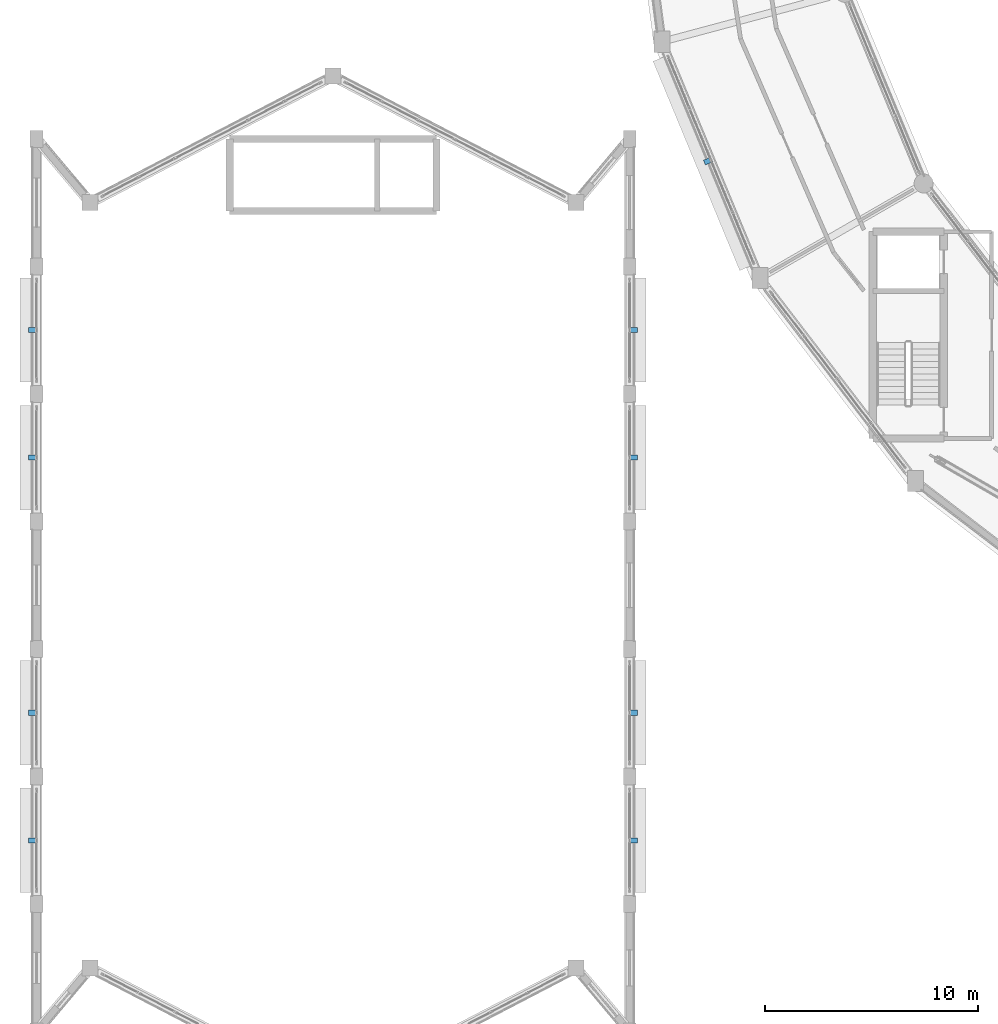
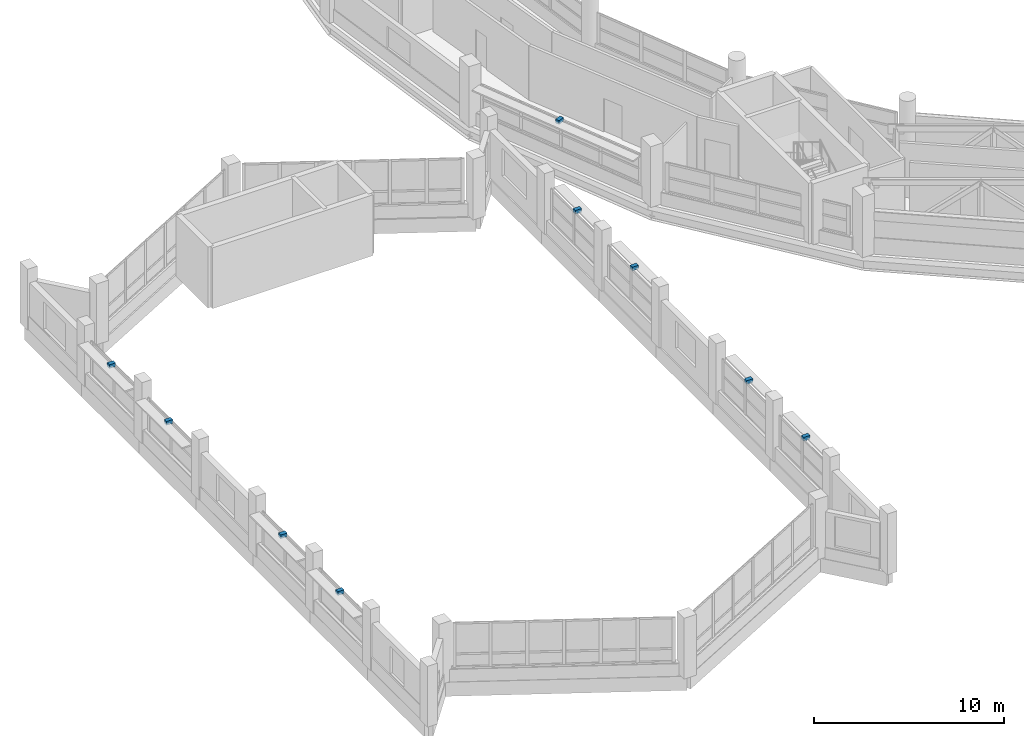
# One storey, part 109 of 121: 9 discrete accessories.
"""IFC4 building model written with IfcOpenShell, lengths in metres."""

import ifcopenshell
import ifcopenshell.guid

model = None  # the IFC model being written
_history = None  # IfcOwnerHistory: only IFC2X3 demands one
_inside = {}  # id of a spatial element -> (the spatial element, [elements in it])
_under = {}  # id of a project, library or spatial element -> (it, [spatial elements below it])
_declared = {}  # id of a project -> (the project, [libraries it declares])
_typed = {}  # id of a type object -> (the type object, [elements of that type])
_made_of = {}  # id of a material, layer set ... -> (it, [elements and type objects made of it])


def new_model(schema):
    """Start an empty IFC model of exactly this schema.

    Asked for "IFC4X3", IfcOpenShell would pick the latest addendum, in which some entities
    have other attributes; the version numbers below select the first issue.
    IFC2X3 requires an IfcOwnerHistory on every rooted entity: one is made here for all.
    """
    global model, _history
    if schema == "IFC4X3":
        model = ifcopenshell.file(schema_version=(4, 3, 0, 0))
    else:
        model = ifcopenshell.file(schema=schema)
    _inside.clear()
    _under.clear()
    _declared.clear()
    _typed.clear()
    _made_of.clear()
    _history = None
    if model.schema == "IFC2X3":
        org = make("IfcOrganization", Name="unknown")
        user = make(
            "IfcPersonAndOrganization",
            ThePerson=make("IfcPerson", FamilyName="unknown"),
            TheOrganization=org,
        )
        app = make(
            "IfcApplication",
            ApplicationDeveloper=org,
            Version="unknown",
            ApplicationFullName="unknown",
            ApplicationIdentifier="unknown",
        )
        _history = make(
            "IfcOwnerHistory",
            OwningUser=user,
            OwningApplication=app,
            ChangeAction="ADDED",
            CreationDate=0,
        )
    return model


def make(cls, **values):
    """One entity of the class cls with the attributes given. An attribute that is None is left unset."""
    return model.create_entity(
        cls, **{name: value for name, value in values.items() if value is not None}
    )


def rooted(cls, **values):
    """An entity with a GlobalId (a new one), such as an element, a storey or a relation."""
    return make(cls, GlobalId=ifcopenshell.guid.new(), OwnerHistory=_history, **values)


def si_unit(unit_type, name, prefix=None):
    """IfcSIUnit, for example si_unit("LENGTHUNIT", "METRE", prefix="MILLI")."""
    return make("IfcSIUnit", UnitType=unit_type, Prefix=prefix, Name=name)


def assignment(units):
    """IfcUnitAssignment: the units of a project."""
    return None if units is None else make("IfcUnitAssignment", Units=units)


def point(xyz):
    """IfcCartesianPoint."""
    return None if xyz is None else make("IfcCartesianPoint", Coordinates=xyz)


def direction(xyz):
    """IfcDirection."""
    return None if xyz is None else make("IfcDirection", DirectionRatios=xyz)


def frame(location, z_axis=None, x_axis=None):
    """IfcAxis2Placement3D, a coordinate frame: its origin and axes. An axis left out is left unset."""
    return make(
        "IfcAxis2Placement3D",
        Location=point(location),
        Axis=direction(z_axis),
        RefDirection=direction(x_axis),
    )


def frame_2d(location, x_axis=None):
    """IfcAxis2Placement2D, a coordinate frame in the plane: its origin and x axis."""
    return make(
        "IfcAxis2Placement2D", Location=point(location), RefDirection=direction(x_axis)
    )


def origin():
    """The frame at (0, 0, 0) with its axes left unset."""
    return frame((0.0, 0.0, 0.0))


def origin_2d():
    """The frame at (0, 0) in the plane with its x axis left unset."""
    return frame_2d((0.0, 0.0))


def place(relative_to, where):
    """IfcLocalPlacement: puts the frame where relative to a parent placement (None: the world)."""
    return make(
        "IfcLocalPlacement", PlacementRelTo=relative_to, RelativePlacement=where
    )


def context(
    kind, dimensions, precision=None, world=None, true_north=None, identifier=None
):
    """IfcGeometricRepresentationContext, for example the 3D "Model" context."""
    return make(
        "IfcGeometricRepresentationContext",
        ContextIdentifier=identifier,
        ContextType=kind,
        CoordinateSpaceDimension=dimensions,
        Precision=precision,
        WorldCoordinateSystem=world,
        TrueNorth=true_north,
    )


def subcontext(parent, identifier, kind, view, scale=None):
    """IfcGeometricRepresentationSubContext, for example "Body" below "Model"."""
    return make(
        "IfcGeometricRepresentationSubContext",
        ContextIdentifier=identifier,
        ContextType=kind,
        ParentContext=parent,
        TargetScale=scale,
        TargetView=view,
    )


def project(units=None, contexts=None):
    """IfcProject with its units and contexts."""
    return rooted(
        "IfcProject",
        Name="project",
        RepresentationContexts=contexts,
        UnitsInContext=assignment(units),
    )


def spatial(cls, under=None, at=None, **own):
    """A site, building, storey or space (cls), placed at a placement, below another one or the project."""
    s = rooted(cls, ObjectPlacement=at, **own)
    if under is not None:
        _under.setdefault(under.id(), (under, []))[1].append(s)
    return s


def profile(cls, at=None, kind="AREA", **sizes):
    """A parametric profile (cls). Its sizes go by their IFC names, for example OverallWidth=200.0."""
    return make(cls, ProfileType=kind, Position=at, **sizes)


def rectangle(**sizes):
    """IfcRectangleProfileDef."""
    return profile("IfcRectangleProfileDef", **sizes)


def extrude(swept, where, along, depth):
    """IfcExtrudedAreaSolid: the profile swept, set in the frame where, extruded along a direction by depth."""
    return make(
        "IfcExtrudedAreaSolid",
        SweptArea=swept,
        Position=where,
        ExtrudedDirection=direction(along),
        Depth=depth,
    )


def shape(context_of_items, identifier, shape_type, items):
    """IfcShapeRepresentation: the items that make up one representation, for example the "Body"."""
    return make(
        "IfcShapeRepresentation",
        ContextOfItems=context_of_items,
        RepresentationIdentifier=identifier,
        RepresentationType=shape_type,
        Items=items,
    )


def material(Name=None, Category=None):
    """IfcMaterial."""
    return make("IfcMaterial", Name=Name, Category=Category)


def made_of(thing, what):
    """Note that an element or type object is made of a material, layer set ...; save() writes the relation."""
    if what is not None:
        _made_of.setdefault(what.id(), (what, []))[1].append(thing)
    return thing


def type_object(cls, material=None, **own):
    """A type object (cls), such as IfcWallType, which elements share."""
    return made_of(rooted(cls, **own), material)


def element(
    cls,
    number,
    at=None,
    inside=None,
    cuts=None,
    type_object=None,
    material=None,
    context=None,
    identifier="Body",
    shape_type=None,
    held_by="IfcProductDefinitionShape",
    body=None,
    shapes=None,
    **own,
):
    """One element of the class cls, such as IfcWall. Its Tag is "e" and its number.

    at: its placement. inside: the storey or other place that contains it. cuts: it is an
    opening in that element (IfcRelVoidsElement). A single representation is given by context,
    identifier, shape_type and body (its items); several are given by shapes. held_by: the class
    of the entity that holds the representations. save() writes the other relations.
    """
    e = rooted(cls, Tag="e%d" % number, ObjectPlacement=at, **own)
    if body is not None:
        shapes = [shape(context, identifier, shape_type, body)]
    if shapes is not None:
        e.Representation = make(held_by, Representations=shapes)
    if inside is not None:
        _inside.setdefault(inside.id(), (inside, []))[1].append(e)
    if cuts is not None:
        rooted(
            "IfcRelVoidsElement", RelatingBuildingElement=cuts, RelatedOpeningElement=e
        )
    if type_object is not None:
        _typed.setdefault(type_object.id(), (type_object, []))[1].append(e)
    return made_of(e, material)


def aggregate(whole, parts):
    """IfcRelAggregates: a whole, such as a stair, and the parts it consists of."""
    return rooted("IfcRelAggregates", RelatingObject=whole, RelatedObjects=parts)


def save(model, path):
    """Write the relations noted so far, then the file.

    IfcRelAggregates (storeys below a building ...), IfcRelContainedInSpatialStructure (elements
    in a storey), IfcRelDefinesByType, IfcRelAssociatesMaterial and IfcRelDeclares: one each for
    every whole, place, type object, material and project.
    """
    for whole, parts in _under.values():
        aggregate(whole, parts)
    for where, things in _inside.values():
        rooted(
            "IfcRelContainedInSpatialStructure",
            RelatedElements=things,
            RelatingStructure=where,
        )
    for kind, things in _typed.values():
        rooted("IfcRelDefinesByType", RelatedObjects=things, RelatingType=kind)
    for what, things in _made_of.values():
        rooted("IfcRelAssociatesMaterial", RelatedObjects=things, RelatingMaterial=what)
    for by, libraries in _declared.values():
        rooted("IfcRelDeclares", RelatingContext=by, RelatedDefinitions=libraries)
    model.write(path)


model = new_model("IFC4")

# Units and contexts
model_context = context("Model", 3, precision=1e-05, world=origin(), true_north=direction((0.0, 1.0)))
body_context = subcontext(model_context, "Body", "Model", "MODEL_VIEW")
ifc_project = project(units=[si_unit("LENGTHUNIT", "METRE"), si_unit("AREAUNIT", "SQUARE_METRE"), si_unit("VOLUMEUNIT", "CUBIC_METRE"), si_unit("PLANEANGLEUNIT", "RADIAN"), si_unit("MASSUNIT", "GRAM", prefix="KILO")], contexts=[model_context])

# Site, building, storey
site_placement = place(None, origin())
site = spatial("IfcSite", under=ifc_project, at=site_placement, CompositionType="ELEMENT")
building_placement = place(site_placement, origin())
building = spatial("IfcBuilding", under=site, at=building_placement, Name="Vespera Passage Community Centre", CompositionType="ELEMENT")
storey_placement = place(building_placement, frame((0.0, 0.0, 8.699951171875)))
storey = spatial("IfcBuildingStorey", under=building, at=storey_placement, Name="L02", CompositionType="ELEMENT", Elevation=8.699951171875)

# Discrete accessories
ifc_material = material(Name="Steel ASTM A572 Grade 50", Category="steel")
discrete_accessory_type = type_object("IfcDiscreteAccessoryType", Name="ACC-BRACKET", PredefinedType="BRACKET", material=ifc_material)
for number, where, z_axis, x_axis, name in (
    (1, (35.644287109375, 47.95556640625, 2.5654296875), (0.0, 0.0, 1.0), (-0.382683432365, 0.923879532511, 0.0), "V4 L02 Outer Solar Eyebrow 13 Bracket"),
    (2, (3.8701171875, 16.0, 2.84521484375), (0.0, 0.0, 1.0), (0.0, 1.0, 0.0), "V1 L02 W2 Solar Eyebrow Bracket"),
    (3, (32.1298828125, 16.0, 2.84521484375), (0.0, 0.0, 1.0), (0.0, -1.0, 0.0), "V1 L02 E2 Solar Eyebrow Bracket"),
    (4, (3.8701171875, 22.0, 2.84521484375), (0.0, 0.0, 1.0), (0.0, 1.0, 0.0), "V1 L02 W3 Solar Eyebrow Bracket"),
    (5, (32.1298828125, 22.0, 2.84521484375), (0.0, 0.0, 1.0), (0.0, -1.0, 0.0), "V1 L02 E3 Solar Eyebrow Bracket"),
    (6, (3.8701171875, 34.0, 2.84521484375), (0.0, 0.0, 1.0), (0.0, 1.0, 0.0), "V1 L02 W5 Solar Eyebrow Bracket"),
    (7, (32.1298828125, 34.0, 2.84521484375), (0.0, 0.0, 1.0), (0.0, -1.0, 0.0), "V1 L02 E5 Solar Eyebrow Bracket"),
    (8, (3.8701171875, 40.0, 2.84521484375), (0.0, 0.0, 1.0), (0.0, 1.0, 0.0), "V1 L02 W6 Solar Eyebrow Bracket"),
    (9, (32.1298828125, 40.0, 2.84521484375), (0.0, 0.0, 1.0), (0.0, -1.0, 0.0), "V1 L02 E6 Solar Eyebrow Bracket"),
):
    element("IfcDiscreteAccessory", number, at=place(storey_placement, frame(where, z_axis=z_axis, x_axis=x_axis)), inside=storey, type_object=discrete_accessory_type, Name=name, PredefinedType="BRACKET", context=body_context, shape_type="SweptSolid", body=[
        extrude(rectangle(XDim=0.239990234375, YDim=0.3798828125, at=origin_2d()), origin(), (0.0, 0.0, 1.0), 0.239990234375),
    ])

save(model, "model.ifc")
